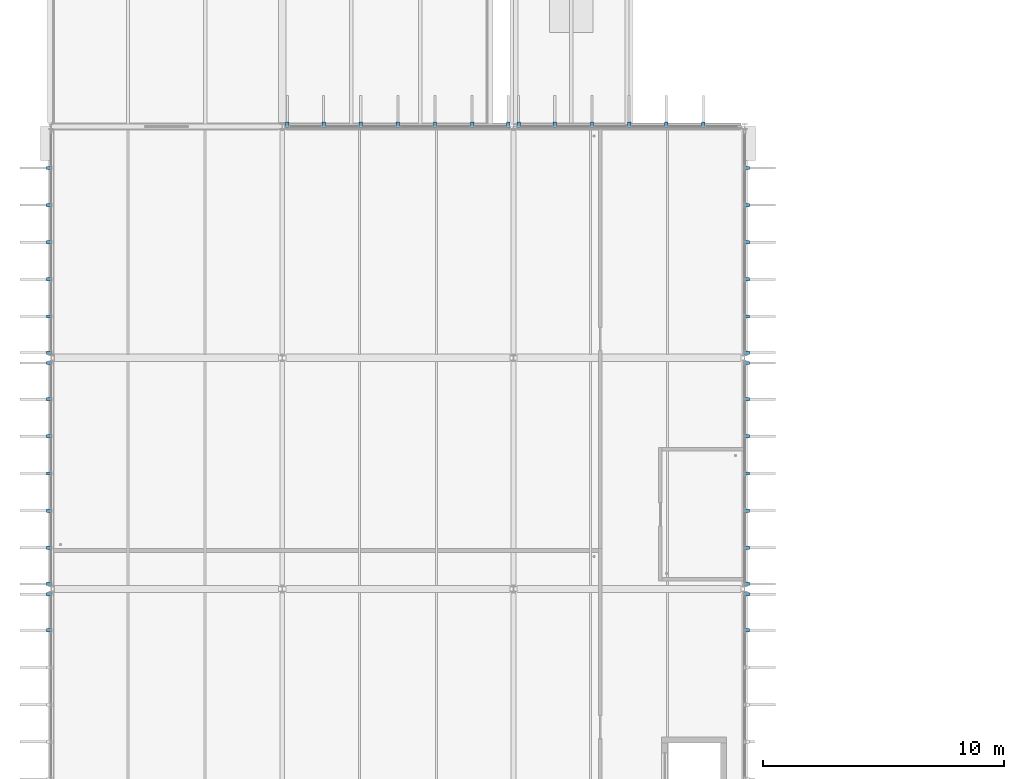
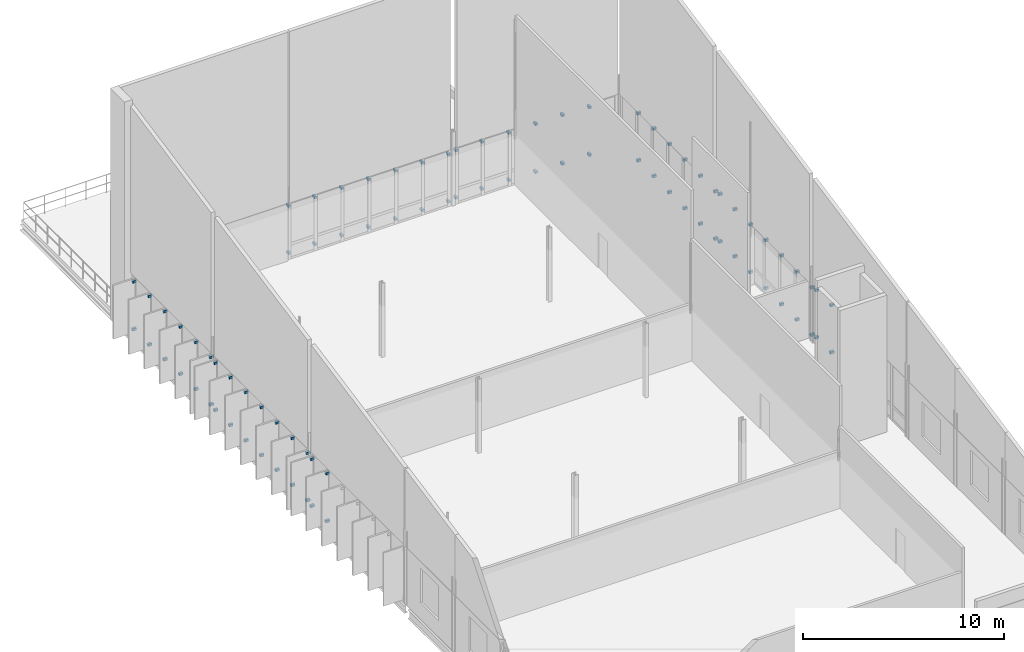
# One storey, part 84 of 93: 86 discrete accessories.
"""IFC4 building model written with IfcOpenShell, lengths in metres."""

from ifc_helpers import new_model, si_unit, direction, frame, origin, origin_2d, place, context, subcontext, project, spatial, rectangle, extrude, material, type_object, element, save


model = new_model("IFC4")

# Units and contexts
model_context = context("Model", 3, precision=1e-05, world=origin(), true_north=direction((0.0, 1.0)))
body_context = subcontext(model_context, "Body", "Model", "MODEL_VIEW")
ifc_project = project(units=[si_unit("LENGTHUNIT", "METRE"), si_unit("AREAUNIT", "SQUARE_METRE"), si_unit("VOLUMEUNIT", "CUBIC_METRE"), si_unit("PLANEANGLEUNIT", "RADIAN"), si_unit("MASSUNIT", "GRAM", prefix="KILO")], contexts=[model_context])

# Site, building, storey
site_placement = place(None, origin())
site = spatial("IfcSite", under=ifc_project, at=site_placement, CompositionType="ELEMENT")
building_placement = place(site_placement, origin())
building = spatial("IfcBuilding", under=site, at=building_placement, Name="Dunescarp Central Library", CompositionType="ELEMENT")
storey_placement = place(building_placement, frame((0.0, 0.0, 14.10009765625)))
storey = spatial("IfcBuildingStorey", under=building, at=storey_placement, Name="L03", CompositionType="ELEMENT", Elevation=14.10009765625)

# Discrete accessories
ifc_material = material(Name="Stainless steel Grade 316L", Category="steel")
discrete_accessory_type = type_object("IfcDiscreteAccessoryType", Name="ARC-ACC-BRK", PredefinedType="BRACKET", material=ifc_material)
for number, where, z_axis, x_axis, name in (
    (1, (-0.080078125, 68.68310546875, 0.18994140625), (0.0, 0.0, 1.0), (-1.0, 0.0, 0.0), "Fin bracket BRK-FIN-L03-0868-B"),
    (2, (-0.080078125, 68.68310546875, 3.0908203125), (0.0, 0.0, 1.0), (-1.0, 0.0, 0.0), "Fin bracket BRK-FIN-L03-0868-T"),
    (3, (-0.080078125, 70.18505859375, 0.18994140625), (0.0, 0.0, 1.0), (-1.0, 0.0, 0.0), "Fin bracket BRK-FIN-L03-0869-B"),
    (4, (-0.080078125, 70.18505859375, 3.05810546875), (0.0, 0.0, 1.0), (-1.0, 0.0, 0.0), "Fin bracket BRK-FIN-L03-0869-T"),
    (5, (28.8798828125, 70.18505859375, 0.27685546875), (0.0, 0.0, 1.0), (1.0, 0.0, 0.0), "Fin bracket BRK-FIN-L03-0870-B"),
    (6, (28.8798828125, 70.18505859375, 3.15185546875), (0.0, 0.0, 1.0), (1.0, 0.0, 0.0), "Fin bracket BRK-FIN-L03-0870-T"),
    (7, (28.8798828125, 68.68310546875, 0.2900390625), (0.0, 0.0, 1.0), (1.0, 0.0, 0.0), "Fin bracket BRK-FIN-L03-0871-B"),
    (8, (28.8798828125, 68.68310546875, 3.15185546875), (0.0, 0.0, 1.0), (1.0, 0.0, 0.0), "Fin bracket BRK-FIN-L03-0871-T"),
    (9, (-0.080078125, 70.614990234375, 0.27685546875), (0.0, 0.0, 1.0), (-1.0, 0.0, 0.0), "Fin bracket BRK-FIN-L03-0877-B"),
    (10, (-0.080078125, 70.614990234375, 3.15185546875), (0.0, 0.0, 1.0), (-1.0, 0.0, 0.0), "Fin bracket BRK-FIN-L03-0877-T"),
    (11, (-0.080078125, 72.116943359375, 0.2900390625), (0.0, 0.0, 1.0), (-1.0, 0.0, 0.0), "Fin bracket BRK-FIN-L03-0878-B"),
    (12, (-0.080078125, 72.116943359375, 3.15185546875), (0.0, 0.0, 1.0), (-1.0, 0.0, 0.0), "Fin bracket BRK-FIN-L03-0878-T"),
    (13, (-0.080078125, 73.657958984375, 0.27392578125), (0.0, 0.0, 1.0), (-1.0, 0.0, 0.0), "Fin bracket BRK-FIN-L03-0879-B"),
    (14, (-0.080078125, 73.657958984375, 3.15185546875), (0.0, 0.0, 1.0), (-1.0, 0.0, 0.0), "Fin bracket BRK-FIN-L03-0879-T"),
    (15, (-0.080078125, 75.199951171875, 0.23291015625), (0.0, 0.0, 1.0), (-1.0, 0.0, 0.0), "Fin bracket BRK-FIN-L03-0880-B"),
    (16, (-0.080078125, 75.199951171875, 3.15185546875), (0.0, 0.0, 1.0), (-1.0, 0.0, 0.0), "Fin bracket BRK-FIN-L03-0880-T"),
    (17, (-0.080078125, 76.741943359375, 0.18994140625), (0.0, 0.0, 1.0), (-1.0, 0.0, 0.0), "Fin bracket BRK-FIN-L03-0881-B"),
    (18, (-0.080078125, 76.741943359375, 3.14111328125), (0.0, 0.0, 1.0), (-1.0, 0.0, 0.0), "Fin bracket BRK-FIN-L03-0881-T"),
    (19, (-0.080078125, 78.282958984375, 0.18994140625), (0.0, 0.0, 1.0), (-1.0, 0.0, 0.0), "Fin bracket BRK-FIN-L03-0882-B"),
    (20, (-0.080078125, 78.282958984375, 3.0908203125), (0.0, 0.0, 1.0), (-1.0, 0.0, 0.0), "Fin bracket BRK-FIN-L03-0882-T"),
    (21, (-0.080078125, 79.784912109375, 0.18994140625), (0.0, 0.0, 1.0), (-1.0, 0.0, 0.0), "Fin bracket BRK-FIN-L03-0883-B"),
    (22, (-0.080078125, 79.784912109375, 3.05810546875), (0.0, 0.0, 1.0), (-1.0, 0.0, 0.0), "Fin bracket BRK-FIN-L03-0883-T"),
    (23, (28.8798828125, 79.784912109375, 0.27685546875), (0.0, 0.0, 1.0), (1.0, 0.0, 0.0), "Fin bracket BRK-FIN-L03-0884-B"),
    (24, (28.8798828125, 79.784912109375, 3.15185546875), (0.0, 0.0, 1.0), (1.0, 0.0, 0.0), "Fin bracket BRK-FIN-L03-0884-T"),
    (25, (28.8798828125, 78.282958984375, 0.2900390625), (0.0, 0.0, 1.0), (1.0, 0.0, 0.0), "Fin bracket BRK-FIN-L03-0885-B"),
    (26, (28.8798828125, 78.282958984375, 3.15185546875), (0.0, 0.0, 1.0), (1.0, 0.0, 0.0), "Fin bracket BRK-FIN-L03-0885-T"),
    (27, (28.8798828125, 76.741943359375, 0.27392578125), (0.0, 0.0, 1.0), (1.0, 0.0, 0.0), "Fin bracket BRK-FIN-L03-0886-B"),
    (28, (28.8798828125, 76.741943359375, 3.15185546875), (0.0, 0.0, 1.0), (1.0, 0.0, 0.0), "Fin bracket BRK-FIN-L03-0886-T"),
    (29, (28.8798828125, 75.199951171875, 0.23291015625), (0.0, 0.0, 1.0), (1.0, 0.0, 0.0), "Fin bracket BRK-FIN-L03-0887-B"),
    (30, (28.8798828125, 75.199951171875, 3.15185546875), (0.0, 0.0, 1.0), (1.0, 0.0, 0.0), "Fin bracket BRK-FIN-L03-0887-T"),
    (31, (28.8798828125, 73.657958984375, 0.18994140625), (0.0, 0.0, 1.0), (1.0, 0.0, 0.0), "Fin bracket BRK-FIN-L03-0888-B"),
    (32, (28.8798828125, 73.657958984375, 3.14111328125), (0.0, 0.0, 1.0), (1.0, 0.0, 0.0), "Fin bracket BRK-FIN-L03-0888-T"),
    (33, (28.8798828125, 72.116943359375, 0.18994140625), (0.0, 0.0, 1.0), (1.0, 0.0, 0.0), "Fin bracket BRK-FIN-L03-0889-B"),
    (34, (28.8798828125, 72.116943359375, 3.0908203125), (0.0, 0.0, 1.0), (1.0, 0.0, 0.0), "Fin bracket BRK-FIN-L03-0889-T"),
    (35, (28.8798828125, 70.614990234375, 0.18994140625), (0.0, 0.0, 1.0), (1.0, 0.0, 0.0), "Fin bracket BRK-FIN-L03-0890-B"),
    (36, (28.8798828125, 70.614990234375, 3.05810546875), (0.0, 0.0, 1.0), (1.0, 0.0, 0.0), "Fin bracket BRK-FIN-L03-0890-T"),
    (37, (-0.080078125, 80.215087890625, 0.27685546875), (0.0, 0.0, 1.0), (-1.0, 0.0, 0.0), "Fin bracket BRK-FIN-L03-0891-B"),
    (38, (-0.080078125, 80.215087890625, 3.15185546875), (0.0, 0.0, 1.0), (-1.0, 0.0, 0.0), "Fin bracket BRK-FIN-L03-0891-T"),
    (39, (-0.080078125, 81.717041015625, 0.2900390625), (0.0, 0.0, 1.0), (-1.0, 0.0, 0.0), "Fin bracket BRK-FIN-L03-0892-B"),
    (40, (-0.080078125, 81.717041015625, 3.15185546875), (0.0, 0.0, 1.0), (-1.0, 0.0, 0.0), "Fin bracket BRK-FIN-L03-0892-T"),
    (41, (-0.080078125, 83.258056640625, 0.27392578125), (0.0, 0.0, 1.0), (-1.0, 0.0, 0.0), "Fin bracket BRK-FIN-L03-0893-B"),
    (42, (-0.080078125, 83.258056640625, 3.15185546875), (0.0, 0.0, 1.0), (-1.0, 0.0, 0.0), "Fin bracket BRK-FIN-L03-0893-T"),
    (43, (-0.080078125, 84.800048828125, 0.23291015625), (0.0, 0.0, 1.0), (-1.0, 0.0, 0.0), "Fin bracket BRK-FIN-L03-0894-B"),
    (44, (-0.080078125, 84.800048828125, 3.15185546875), (0.0, 0.0, 1.0), (-1.0, 0.0, 0.0), "Fin bracket BRK-FIN-L03-0894-T"),
    (45, (-0.080078125, 86.342041015625, 0.18994140625), (0.0, 0.0, 1.0), (-1.0, 0.0, 0.0), "Fin bracket BRK-FIN-L03-0895-B"),
    (46, (-0.080078125, 86.342041015625, 3.14111328125), (0.0, 0.0, 1.0), (-1.0, 0.0, 0.0), "Fin bracket BRK-FIN-L03-0895-T"),
    (47, (-0.080078125, 87.883056640625, 0.18994140625), (0.0, 0.0, 1.0), (-1.0, 0.0, 0.0), "Fin bracket BRK-FIN-L03-0896-B"),
    (48, (-0.080078125, 87.883056640625, 3.0908203125), (0.0, 0.0, 1.0), (-1.0, 0.0, 0.0), "Fin bracket BRK-FIN-L03-0896-T"),
    (49, (28.8798828125, 87.883056640625, 0.2900390625), (0.0, 0.0, 1.0), (1.0, 0.0, 0.0), "Fin bracket BRK-FIN-L03-0897-B"),
    (50, (28.8798828125, 87.883056640625, 3.15185546875), (0.0, 0.0, 1.0), (1.0, 0.0, 0.0), "Fin bracket BRK-FIN-L03-0897-T"),
    (51, (28.8798828125, 86.342041015625, 0.27392578125), (0.0, 0.0, 1.0), (1.0, 0.0, 0.0), "Fin bracket BRK-FIN-L03-0898-B"),
    (52, (28.8798828125, 86.342041015625, 3.15185546875), (0.0, 0.0, 1.0), (1.0, 0.0, 0.0), "Fin bracket BRK-FIN-L03-0898-T"),
    (53, (28.8798828125, 84.800048828125, 0.23291015625), (0.0, 0.0, 1.0), (1.0, 0.0, 0.0), "Fin bracket BRK-FIN-L03-0899-B"),
    (54, (28.8798828125, 84.800048828125, 3.15185546875), (0.0, 0.0, 1.0), (1.0, 0.0, 0.0), "Fin bracket BRK-FIN-L03-0899-T"),
    (55, (28.8798828125, 83.258056640625, 0.18994140625), (0.0, 0.0, 1.0), (1.0, 0.0, 0.0), "Fin bracket BRK-FIN-L03-0900-B"),
    (56, (28.8798828125, 83.258056640625, 3.14111328125), (0.0, 0.0, 1.0), (1.0, 0.0, 0.0), "Fin bracket BRK-FIN-L03-0900-T"),
    (57, (28.8798828125, 81.717041015625, 0.18994140625), (0.0, 0.0, 1.0), (1.0, 0.0, 0.0), "Fin bracket BRK-FIN-L03-0901-B"),
    (58, (28.8798828125, 81.717041015625, 3.0908203125), (0.0, 0.0, 1.0), (1.0, 0.0, 0.0), "Fin bracket BRK-FIN-L03-0901-T"),
    (59, (28.8798828125, 80.215087890625, 0.18994140625), (0.0, 0.0, 1.0), (1.0, 0.0, 0.0), "Fin bracket BRK-FIN-L03-0902-B"),
    (60, (28.8798828125, 80.215087890625, 3.05810546875), (0.0, 0.0, 1.0), (1.0, 0.0, 0.0), "Fin bracket BRK-FIN-L03-0902-T"),
    (61, (9.81494140625, 89.679931640625, 0.27685546875), (0.0, 0.0, 1.0), (0.0, 1.0, 0.0), "Fin bracket BRK-FIN-L03-0903-B"),
    (62, (9.81494140625, 89.679931640625, 3.14501953125), (0.0, 0.0, 1.0), (0.0, 1.0, 0.0), "Fin bracket BRK-FIN-L03-0903-T"),
    (63, (11.31689453125, 89.679931640625, 0.2900390625), (0.0, 0.0, 1.0), (0.0, 1.0, 0.0), "Fin bracket BRK-FIN-L03-0904-B"),
    (64, (11.31689453125, 89.679931640625, 3.14501953125), (0.0, 0.0, 1.0), (0.0, 1.0, 0.0), "Fin bracket BRK-FIN-L03-0904-T"),
    (65, (12.85791015625, 89.679931640625, 0.27392578125), (0.0, 0.0, 1.0), (0.0, 1.0, 0.0), "Fin bracket BRK-FIN-L03-0905-B"),
    (66, (12.85791015625, 89.679931640625, 3.14501953125), (0.0, 0.0, 1.0), (0.0, 1.0, 0.0), "Fin bracket BRK-FIN-L03-0905-T"),
    (67, (14.39990234375, 89.679931640625, 0.23291015625), (0.0, 0.0, 1.0), (0.0, 1.0, 0.0), "Fin bracket BRK-FIN-L03-0906-B"),
    (68, (14.39990234375, 89.679931640625, 3.14501953125), (0.0, 0.0, 1.0), (0.0, 1.0, 0.0), "Fin bracket BRK-FIN-L03-0906-T"),
    (69, (15.94189453125, 89.679931640625, 0.18994140625), (0.0, 0.0, 1.0), (0.0, 1.0, 0.0), "Fin bracket BRK-FIN-L03-0907-B"),
    (70, (15.94189453125, 89.679931640625, 3.1337890625), (0.0, 0.0, 1.0), (0.0, 1.0, 0.0), "Fin bracket BRK-FIN-L03-0907-T"),
    (71, (17.48291015625, 89.679931640625, 0.18994140625), (0.0, 0.0, 1.0), (0.0, 1.0, 0.0), "Fin bracket BRK-FIN-L03-0908-B"),
    (72, (17.48291015625, 89.679931640625, 3.083984375), (0.0, 0.0, 1.0), (0.0, 1.0, 0.0), "Fin bracket BRK-FIN-L03-0908-T"),
    (73, (18.985107421875, 89.679931640625, 0.18994140625), (0.0, 0.0, 1.0), (0.0, 1.0, 0.0), "Fin bracket BRK-FIN-L03-0909-B"),
    (74, (18.985107421875, 89.679931640625, 3.05078125), (0.0, 0.0, 1.0), (0.0, 1.0, 0.0), "Fin bracket BRK-FIN-L03-0909-T"),
    (75, (19.4150390625, 89.679931640625, 0.27685546875), (0.0, 0.0, 1.0), (0.0, 1.0, 0.0), "Fin bracket BRK-FIN-L03-0910-B"),
    (76, (19.4150390625, 89.679931640625, 3.14501953125), (0.0, 0.0, 1.0), (0.0, 1.0, 0.0), "Fin bracket BRK-FIN-L03-0910-T"),
    (77, (20.9169921875, 89.679931640625, 0.2900390625), (0.0, 0.0, 1.0), (0.0, 1.0, 0.0), "Fin bracket BRK-FIN-L03-0911-B"),
    (78, (20.9169921875, 89.679931640625, 3.14501953125), (0.0, 0.0, 1.0), (0.0, 1.0, 0.0), "Fin bracket BRK-FIN-L03-0911-T"),
    (79, (22.4580078125, 89.679931640625, 0.27392578125), (0.0, 0.0, 1.0), (0.0, 1.0, 0.0), "Fin bracket BRK-FIN-L03-0912-B"),
    (80, (22.4580078125, 89.679931640625, 3.14501953125), (0.0, 0.0, 1.0), (0.0, 1.0, 0.0), "Fin bracket BRK-FIN-L03-0912-T"),
    (81, (24.0, 89.679931640625, 0.23291015625), (0.0, 0.0, 1.0), (0.0, 1.0, 0.0), "Fin bracket BRK-FIN-L03-0913-B"),
    (82, (24.0, 89.679931640625, 3.14501953125), (0.0, 0.0, 1.0), (0.0, 1.0, 0.0), "Fin bracket BRK-FIN-L03-0913-T"),
    (83, (25.5419921875, 89.679931640625, 0.18994140625), (0.0, 0.0, 1.0), (0.0, 1.0, 0.0), "Fin bracket BRK-FIN-L03-0914-B"),
    (84, (25.5419921875, 89.679931640625, 3.1337890625), (0.0, 0.0, 1.0), (0.0, 1.0, 0.0), "Fin bracket BRK-FIN-L03-0914-T"),
    (85, (27.0830078125, 89.679931640625, 0.18994140625), (0.0, 0.0, 1.0), (0.0, 1.0, 0.0), "Fin bracket BRK-FIN-L03-0915-B"),
    (86, (27.0830078125, 89.679931640625, 3.083984375), (0.0, 0.0, 1.0), (0.0, 1.0, 0.0), "Fin bracket BRK-FIN-L03-0915-T"),
):
    element("IfcDiscreteAccessory", number, at=place(storey_placement, frame(where, z_axis=z_axis, x_axis=x_axis)), inside=storey, type_object=discrete_accessory_type, Name=name, PredefinedType="BRACKET", context=body_context, shape_type="SweptSolid", body=[
        extrude(rectangle(XDim=0.219970703125, YDim=0.139892578125, at=origin_2d()), origin(), (0.0, 0.0, 1.0), 0.139892578125),
    ])

save(model, "model.ifc")
